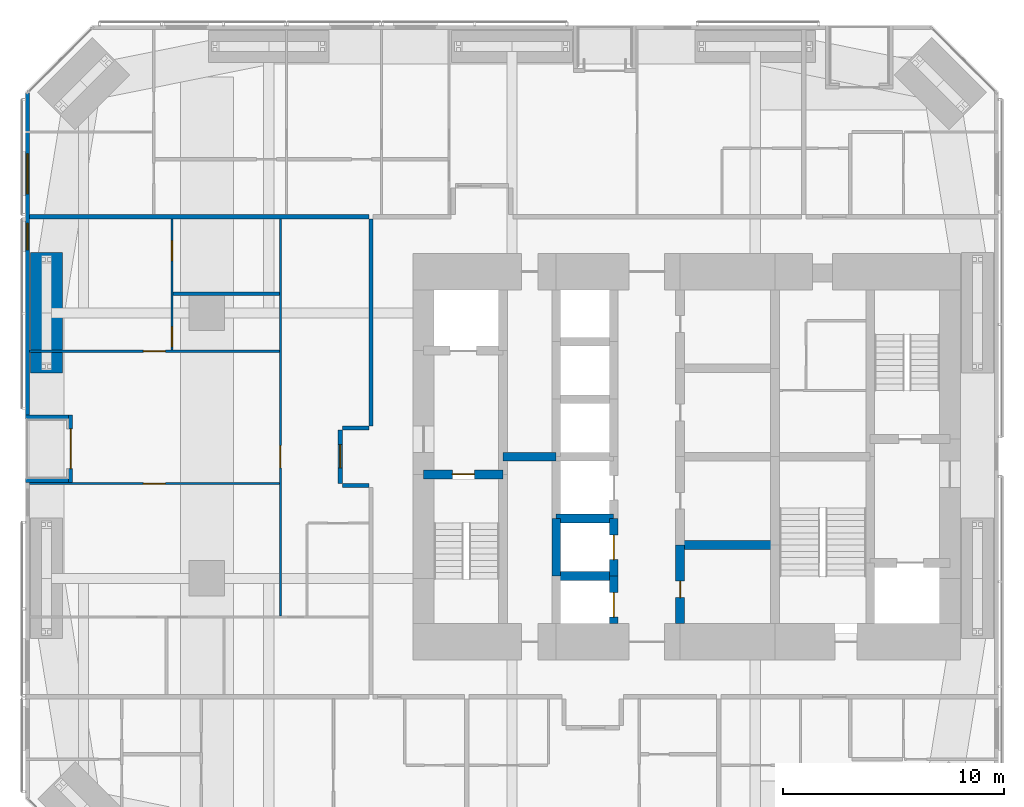
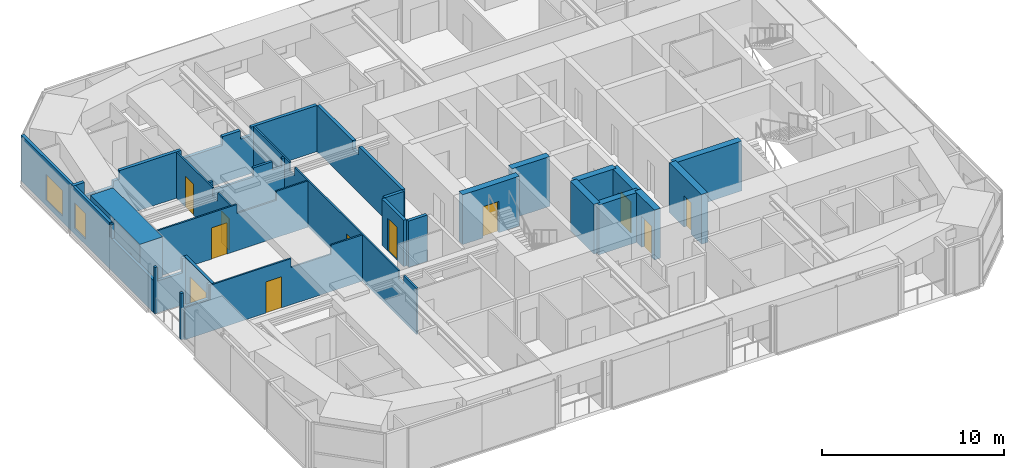
# One storey, part 18 of 23: 24 walls, 11 doors, 2 windows, 13 openings.
"""IFC4 building model written with IfcOpenShell, lengths in metres."""

from ifc_helpers import new_model, si_unit, direction, frame, frame_2d, origin, place, context, subcontext, project, spatial, polyline, rectangle, outline, extrude, material, layer, layer_set, constituent, constituent_set, type_object, element, fill, save


model = new_model("IFC4")

# Units and contexts
model_context = context("Model", 3, precision=1e-05, world=origin(), true_north=direction((0.0, 1.0)))
body_context = subcontext(model_context, "Body", "Model", "MODEL_VIEW")
ifc_project = project(units=[si_unit("LENGTHUNIT", "METRE"), si_unit("AREAUNIT", "SQUARE_METRE"), si_unit("VOLUMEUNIT", "CUBIC_METRE"), si_unit("PLANEANGLEUNIT", "RADIAN"), si_unit("MASSUNIT", "GRAM", prefix="KILO")], contexts=[model_context])

# Site, building, storey
site_placement = place(None, origin())
site = spatial("IfcSite", under=ifc_project, at=site_placement, CompositionType="ELEMENT")
building_placement = place(site_placement, origin())
building = spatial("IfcBuilding", under=site, at=building_placement, Name="Jalousie Tower", CompositionType="ELEMENT")
storey_placement = place(building_placement, frame((0.0, 0.0, 27.699951171875)))
storey = spatial("IfcBuildingStorey", under=building, at=storey_placement, Name="L06", CompositionType="ELEMENT", Elevation=27.699951171875)

# Walls
ifc_material_1 = material(Name="Concrete block ASTM C90", Category="concrete")
ifc_constituent_1 = constituent(ifc_material_1, Name="Body")
ifc_material_2 = material(Name="Render")
ifc_constituent_2 = constituent(ifc_material_2, Name="Finish")
ifc_constituent_set_1 = constituent_set(constituents=[ifc_constituent_1, ifc_constituent_2])
wall_type_1 = type_object("IfcWallType", Name="BATHROOM WALL 150", PredefinedType="PLUMBINGWALL", material=ifc_constituent_set_1)
wall_1_placement = place(storey_placement, frame((8.675048828125, 25.875, 0.0), z_axis=(0.0, 0.0, 1.0), x_axis=(1.0, 0.0, 0.0)))
element("IfcWall", 1, at=wall_1_placement, inside=storey, type_object=wall_type_1, Name="Bathroom Wall 150 L06", PredefinedType="PLUMBINGWALL", context=body_context, shape_type="SweptSolid", body=[
    extrude(outline(polyline([(0.0, 0.0), (4.800048828125, 0.0), (4.800048828125, 3.110107421875), (4.63720703125, 3.110107421875), (4.63720703125, 2.541015625), (4.0126953125, 2.541015625), (4.0126953125, 3.110107421875), (2.81005859375, 3.110107421875), (2.81005859375, 2.510009765625), (0.239990234375, 2.510009765625), (0.239990234375, 3.110107421875), (0.0, 3.110107421875), (0.0, 0.0)])), frame((0.0, 0.074951171875, 0.0), z_axis=(0.0, -1.0, 0.0), x_axis=(1.0, 0.0, 0.0)), (0.0, 0.0, 1.0), 0.14990234375),
])
ifc_material_3 = material(Name="Concrete f'c 120 MPa", Category="concrete")
ifc_layer_1 = layer(ifc_material_3, 0.39990234375)
ifc_layer_set_1 = layer_set([ifc_layer_1], Name="Concrete f'c 120 MPa")
wall_type_2 = type_object("IfcWallType", Name="CORE WALL 400", PredefinedType="SHEAR", material=ifc_layer_set_1)
wall_2_placement = place(storey_placement, frame((26.0, 13.10009765625, 0.0), z_axis=(0.0, 0.0, 1.0), x_axis=(0.0, 1.0, 0.0)))
element("IfcWall", 2, at=wall_2_placement, inside=storey, type_object=wall_type_2, Name="Core wall X26B L06", PredefinedType="SHEAR", context=body_context, shape_type="SweptSolid", body=[
    extrude(rectangle(XDim=2.599853515625, YDim=0.39990234375, at=frame_2d((1.2998046875, 0.0))), origin(), (0.0, 0.0, 1.0), 3.35009765625),
])

# Wall, opening, door
wall_3_placement = place(storey_placement, frame((28.60009765625, 10.949951171875, 0.0), z_axis=(0.0, 0.0, 1.0), x_axis=(0.0, 1.0, 0.0)))
wall_3 = element("IfcWall", 3, at=wall_3_placement, inside=storey, type_object=wall_type_2, Name="Core wall X28.6A L06", PredefinedType="SHEAR", context=body_context, shape_type="SweptSolid", body=[
    extrude(rectangle(XDim=2.150146484375, YDim=0.39990234375, at=frame_2d((1.0751953125, 0.0))), origin(), (0.0, 0.0, 1.0), 3.35009765625),
])
opening_1_placement = place(wall_3_placement, frame((0.300048828125, 0.0, 0.0)))
opening_1 = element("IfcOpeningElement", 4, at=opening_1_placement, cuts=wall_3, Name="Opening LD1", PredefinedType="OPENING", context=body_context, shape_type="SweptSolid", body=[
    extrude(rectangle(XDim=1.10009765625, YDim=2.10009765625, at=frame_2d((0.550048828125, 1.050048828125))), frame((0.0, 0.2099609375, 0.0), z_axis=(0.0, -1.0, 0.0), x_axis=(1.0, 0.0, 0.0)), (0.0, 0.0, 1.0), 0.419921875),
])
ifc_material_4 = material(Name="Steel lift landing door", Category="steel")
door_type_1 = type_object("IfcDoorType", Name="LIFT LANDING DOOR 1100", OperationType="SLIDING_TO_LEFT", PredefinedType="DOOR", material=ifc_material_4)
door_1_placement = place(opening_1_placement, origin())
door_1 = element("IfcDoor", 5, at=door_1_placement, inside=storey, type_object=door_type_1, Name="Lift P1 landing door", OperationType="SLIDING_TO_LEFT", OverallHeight=2.10009765625, OverallWidth=1.10009765625, PredefinedType="DOOR", context=body_context, shape_type="SweptSolid", body=[
    extrude(rectangle(XDim=1.10009765625, YDim=2.10009765625, at=frame_2d((0.550048828125, 1.050048828125))), frame((0.0, 0.02490234375, 0.0), z_axis=(0.0, -1.0, 0.0), x_axis=(1.0, 0.0, 0.0)), (0.0, 0.0, 1.0), 0.050048828125),
])
fill(opening_1, door_1)

wall_4_placement = place(storey_placement, frame((28.60009765625, 13.10009765625, 0.0), z_axis=(0.0, 0.0, 1.0), x_axis=(0.0, 1.0, 0.0)))
wall_4 = element("IfcWall", 6, at=wall_4_placement, inside=storey, type_object=wall_type_2, Name="Core wall X28.6B L06", PredefinedType="SHEAR", context=body_context, shape_type="SweptSolid", body=[
    extrude(rectangle(XDim=2.599853515625, YDim=0.39990234375, at=frame_2d((1.2998046875, 0.0))), origin(), (0.0, 0.0, 1.0), 3.35009765625),
])
opening_2_placement = place(wall_4_placement, frame((0.75, 0.0, 0.0)))
opening_2 = element("IfcOpeningElement", 7, at=opening_2_placement, cuts=wall_4, Name="Opening LD1", PredefinedType="OPENING", context=body_context, shape_type="SweptSolid", body=[
    extrude(rectangle(XDim=1.10009765625, YDim=2.10009765625, at=frame_2d((0.550048828125, 1.050048828125))), frame((0.0, 0.2099609375, 0.0), z_axis=(0.0, -1.0, 0.0), x_axis=(1.0, 0.0, 0.0)), (0.0, 0.0, 1.0), 0.419921875),
])
door_2_placement = place(opening_2_placement, origin())
door_2 = element("IfcDoor", 8, at=door_2_placement, inside=storey, type_object=door_type_1, Name="Lift P2 landing door", OperationType="SLIDING_TO_LEFT", OverallHeight=2.10009765625, OverallWidth=1.10009765625, PredefinedType="DOOR", context=body_context, shape_type="SweptSolid", body=[
    extrude(rectangle(XDim=1.10009765625, YDim=2.10009765625, at=frame_2d((0.550048828125, 1.050048828125))), frame((0.0, 0.02490234375, 0.0), z_axis=(0.0, -1.0, 0.0), x_axis=(1.0, 0.0, 0.0)), (0.0, 0.0, 1.0), 0.050048828125),
])
fill(opening_2, door_2)

wall_5_placement = place(storey_placement, frame((31.60009765625, 10.949951171875, 0.0), z_axis=(0.0, 0.0, 1.0), x_axis=(0.0, 1.0, 0.0)))
wall_5 = element("IfcWall", 9, at=wall_5_placement, inside=storey, type_object=wall_type_2, Name="Core wall X31.6A L06", PredefinedType="SHEAR", context=body_context, shape_type="SweptSolid", body=[
    extrude(rectangle(XDim=3.550048828125, YDim=0.39990234375, at=frame_2d((1.77490234375, 0.0))), origin(), (0.0, 0.0, 1.0), 3.35009765625),
])
opening_3_placement = place(wall_5_placement, frame((1.175048828125, 0.0, 0.0)))
opening_3 = element("IfcOpeningElement", 10, at=opening_3_placement, cuts=wall_5, Name="Opening D16", PredefinedType="OPENING", context=body_context, shape_type="SweptSolid", body=[
    extrude(rectangle(XDim=0.75, YDim=2.10009765625, at=frame_2d((0.375, 1.050048828125))), frame((0.0, 0.2099609375, 0.0), z_axis=(0.0, -1.0, 0.0), x_axis=(1.0, 0.0, 0.0)), (0.0, 0.0, 1.0), 0.419921875),
])
ifc_material_5 = material(Name="Steel fire door", Category="steel")
door_type_2 = type_object("IfcDoorType", Name="RISER DOOR 750", OperationType="SINGLE_SWING_LEFT", PredefinedType="DOOR", material=ifc_material_5)
door_3_placement = place(opening_3_placement, frame((0.75, 0.0, 0.0), z_axis=(0.0, 0.0, 1.0), x_axis=(-1.0, 0.0, 0.0)))
door_3 = element("IfcDoor", 11, at=door_3_placement, inside=storey, type_object=door_type_2, Name="Refuse Room door", OperationType="SINGLE_SWING_RIGHT", OverallHeight=2.10009765625, OverallWidth=0.75, PredefinedType="DOOR", context=body_context, shape_type="SweptSolid", body=[
    extrude(rectangle(XDim=0.75, YDim=2.10009765625, at=frame_2d((0.375, 1.050048828125))), frame((0.0, 0.02490234375, 0.0), z_axis=(0.0, -1.0, 0.0), x_axis=(1.0, 0.0, 0.0)), (0.0, 0.0, 1.0), 0.050048828125),
])
fill(opening_3, door_3)

wall_6_placement = place(storey_placement, frame((20.0, 17.699951171875, 0.0), z_axis=(0.0, 0.0, 1.0), x_axis=(1.0, 0.0, 0.0)))
wall_6 = element("IfcWall", 12, at=wall_6_placement, inside=storey, type_object=wall_type_2, Name="Core wall Y20-17.7 L06", PredefinedType="SHEAR", context=body_context, shape_type="SweptSolid", body=[
    extrude(rectangle(XDim=3.60009765625, YDim=0.39990234375, at=frame_2d((1.800048828125, 0.0))), origin(), (0.0, 0.0, 1.0), 3.35009765625),
])
opening_4_placement = place(wall_6_placement, frame((1.300048828125, 0.0, 0.0)))
opening_4 = element("IfcOpeningElement", 13, at=opening_4_placement, cuts=wall_6, Name="Opening D10", PredefinedType="OPENING", context=body_context, shape_type="SweptSolid", body=[
    extrude(rectangle(XDim=1.0, YDim=2.10009765625, at=frame_2d((0.5, 1.050048828125))), frame((0.0, 0.2099609375, 0.0), z_axis=(0.0, -1.0, 0.0), x_axis=(1.0, 0.0, 0.0)), (0.0, 0.0, 1.0), 0.419921875),
])
ifc_material_6 = material(Name="Steel fire door", Category="steel")
door_type_3 = type_object("IfcDoorType", Name="STAIR DOOR 1000", OperationType="SINGLE_SWING_LEFT", PredefinedType="DOOR", material=ifc_material_6)
door_4_placement = place(opening_4_placement, frame((1.0, 0.0, 0.0), z_axis=(0.0, 0.0, 1.0), x_axis=(-1.0, 0.0, 0.0)))
door_4 = element("IfcDoor", 14, at=door_4_placement, inside=storey, type_object=door_type_3, Name="Exit stair A door", OperationType="SINGLE_SWING_RIGHT", OverallHeight=2.10009765625, OverallWidth=1.0, PredefinedType="DOOR", context=body_context, shape_type="SweptSolid", body=[
    extrude(rectangle(XDim=1.0, YDim=2.10009765625, at=frame_2d((0.5, 1.050048828125))), frame((0.0, 0.02490234375, 0.0), z_axis=(0.0, -1.0, 0.0), x_axis=(1.0, 0.0, 0.0)), (0.0, 0.0, 1.0), 0.050048828125),
])
fill(opening_4, door_4)

# Walls
wall_7_placement = place(storey_placement, frame((23.60009765625, 18.5, 0.0), z_axis=(0.0, 0.0, 1.0), x_axis=(1.0, 0.0, 0.0)))
element("IfcWall", 15, at=wall_7_placement, inside=storey, type_object=wall_type_2, Name="Core wall Y23.6-18.5 L06", PredefinedType="SHEAR", context=body_context, shape_type="SweptSolid", body=[
    extrude(rectangle(XDim=2.39990234375, YDim=0.39990234375, at=frame_2d((1.199951171875, 0.0))), origin(), (0.0, 0.0, 1.0), 3.35009765625),
])
for number, where, z_axis, x_axis, name in (
    (16, (26.0, 13.10009765625, 0.0), (0.0, 0.0, 1.0), (1.0, 0.0, 0.0), "Core wall Y26-13.1 L06"),
    (17, (26.0, 15.699951171875, 0.0), (0.0, 0.0, 1.0), (1.0, 0.0, 0.0), "Core wall Y26-15.7 L06"),
):
    element("IfcWall", number, at=place(storey_placement, frame(where, z_axis=z_axis, x_axis=x_axis)), inside=storey, type_object=wall_type_2, Name=name, PredefinedType="SHEAR", context=body_context, shape_type="SweptSolid", body=[
        extrude(rectangle(XDim=2.60009765625, YDim=0.39990234375, at=frame_2d((1.300048828125, 0.0))), origin(), (0.0, 0.0, 1.0), 3.35009765625),
    ])
wall_8_placement = place(storey_placement, frame((31.60009765625, 14.5, 0.0), z_axis=(0.0, 0.0, 1.0), x_axis=(1.0, 0.0, 0.0)))
element("IfcWall", 18, at=wall_8_placement, inside=storey, type_object=wall_type_2, Name="Core wall Y31.6-14.5 L06", PredefinedType="SHEAR", context=body_context, shape_type="SweptSolid", body=[
    extrude(rectangle(XDim=4.2998046875, YDim=0.39990234375, at=frame_2d((2.14990234375, 0.0))), origin(), (0.0, 0.0, 1.0), 3.35009765625),
])
ifc_material_7 = material(Name="Concrete block ASTM C90", Category="concrete")
ifc_constituent_3 = constituent(ifc_material_7, Name="Body")
ifc_material_8 = material(Name="Render")
ifc_constituent_4 = constituent(ifc_material_8, Name="Finish")
ifc_constituent_set_2 = constituent_set(constituents=[ifc_constituent_3, ifc_constituent_4])
wall_type_3 = type_object("IfcWallType", Name="CORRIDOR WALL 200", PredefinedType="PARTITIONING", material=ifc_constituent_set_2)
wall_9_placement = place(storey_placement, frame((17.625, 19.89990234375, 0.0), z_axis=(0.0, 0.0, 1.0), x_axis=(0.0, 1.0, 0.0)))
element("IfcWall", 19, at=wall_9_placement, inside=storey, type_object=wall_type_3, Name="Corridor Wall 200 L06", PredefinedType="PARTITIONING", context=body_context, shape_type="SweptSolid", body=[
    extrude(outline(polyline([(0.0, 0.0), (9.35009765625, 0.0), (9.35009765625, 3.110107421875), (5.437255859375, 3.110107421875), (5.437255859375, 2.541015625), (4.7626953125, 2.541015625), (4.7626953125, 3.110107421875), (0.0, 3.110107421875), (0.0, 0.0)])), frame((0.0, 0.10009765625, 0.0), z_axis=(0.0, -1.0, 0.0), x_axis=(1.0, 0.0, 0.0)), (0.0, 0.0, 1.0), 0.199951171875),
])

# Wall, opening, door
wall_10_placement = place(storey_placement, frame((16.22509765625, 17.300048828125, 0.0), z_axis=(0.0, 0.0, 1.0), x_axis=(0.0, 1.0, 0.0)))
wall_10 = element("IfcWall", 20, at=wall_10_placement, inside=storey, type_object=wall_type_3, Name="Corridor Wall 200 L06", PredefinedType="PARTITIONING", context=body_context, shape_type="SweptSolid", body=[
    extrude(rectangle(XDim=2.39990234375, YDim=0.199951171875, at=frame_2d((1.199951171875, 0.0))), origin(), (0.0, 0.0, 1.0), 3.110107421875),
])
opening_5_placement = place(wall_10_placement, frame((0.699951171875, 0.0, 0.0)))
opening_5 = element("IfcOpeningElement", 21, at=opening_5_placement, cuts=wall_10, Name="Opening D1", PredefinedType="OPENING", context=body_context, shape_type="SweptSolid", body=[
    extrude(rectangle(XDim=1.050048828125, YDim=2.199951171875, at=frame_2d((0.52490234375, 1.10009765625))), frame((0.0, 0.10986328125, 0.0), z_axis=(0.0, -1.0, 0.0), x_axis=(1.0, 0.0, 0.0)), (0.0, 0.0, 1.0), 0.219970703125),
])
ifc_material_9 = material(Name="Timber fire door", Category="wood")
door_type_4 = type_object("IfcDoorType", Name="APARTMENT ENTRANCE DOOR 1050", OperationType="SINGLE_SWING_LEFT", PredefinedType="DOOR", material=ifc_material_9)
door_5_placement = place(opening_5_placement, origin())
door_5 = element("IfcDoor", 22, at=door_5_placement, inside=storey, type_object=door_type_4, Name="Apartment 0606 entrance", OperationType="SINGLE_SWING_LEFT", OverallHeight=2.199951171875, OverallWidth=1.050048828125, PredefinedType="DOOR", context=body_context, shape_type="SweptSolid", body=[
    extrude(rectangle(XDim=1.050048828125, YDim=2.199951171875, at=frame_2d((0.52490234375, 1.10009765625))), frame((0.0, 0.02490234375, 0.0), z_axis=(0.0, -1.0, 0.0), x_axis=(1.0, 0.0, 0.0)), (0.0, 0.0, 1.0), 0.050048828125),
])
fill(opening_5, door_5)

# Walls
for number, where, z_axis, x_axis, name in (
    (23, (17.52490234375, 17.199951171875, 0.0), (0.0, 0.0, 1.0), (-1.0, 0.0, 0.0), "Corridor Wall 200 L06"),
    (24, (17.52490234375, 19.800048828125, 0.0), (0.0, 0.0, 1.0), (-1.0, 0.0, 0.0), "Corridor Wall 200 L06"),
):
    element("IfcWall", number, at=place(storey_placement, frame(where, z_axis=z_axis, x_axis=x_axis)), inside=storey, type_object=wall_type_3, Name=name, PredefinedType="PARTITIONING", context=body_context, shape_type="SweptSolid", body=[
        extrude(rectangle(XDim=1.199951171875, YDim=0.199951171875, at=frame_2d((0.60009765625, 0.0))), origin(), (0.0, 0.0, 1.0), 3.110107421875),
    ])

# Wall, openings, windows
ifc_material_10 = material(Name="Concrete f'c 40 MPa", Category="concrete")
ifc_constituent_5 = constituent(ifc_material_10, Name="Body")
ifc_material_11 = material(Name="Render, pastel coral")
ifc_constituent_6 = constituent(ifc_material_11, Name="Finish")
ifc_constituent_set_3 = constituent_set(constituents=[ifc_constituent_5, ifc_constituent_6])
wall_type_4 = type_object("IfcWallType", Name="EXTERNAL WALL 175 CORAL RENDER", PredefinedType="SOLIDWALL", material=ifc_constituent_set_3)
wall_11_placement = place(storey_placement, frame((2.08740234375, 34.94873046875, 0.0), z_axis=(0.0, 0.0, 1.0), x_axis=(0.0, -1.0, 0.0)))
wall_11 = element("IfcWall", 25, at=wall_11_placement, inside=storey, type_object=wall_type_4, Name="External Wall 175 Coral Render L06", PredefinedType="SOLIDWALL", context=body_context, shape_type="SweptSolid", body=[
    extrude(outline(polyline([(0.0, 0.0), (14.55712890625, 0.0), (14.556884765625, 2.150146484375), (9.94873046875, 2.150146484375), (9.94873046875, 3.110107421875), (9.822998046875, 3.110107421875), (9.822998046875, 2.150146484375), (9.72998046875, 2.150146484375), (9.72998046875, 3.110107421875), (0.0, 3.110107421875), (0.0, 0.0)])), frame((0.0, 0.08740234375, 0.0), z_axis=(0.0, -1.0, 0.0), x_axis=(1.0, 0.0, 0.0)), (0.0, 0.0, 1.0), 0.175048828125),
])
opening_6_placement = place(wall_11_placement, frame((2.75732421875, 0.0, 0.39990234375)))
opening_6 = element("IfcOpeningElement", 26, at=opening_6_placement, cuts=wall_11, Name="Opening W-BED170", PredefinedType="OPENING", context=body_context, shape_type="SweptSolid", body=[
    extrude(rectangle(XDim=1.800048828125, YDim=1.699951171875, at=frame_2d((0.89990234375, 0.85009765625))), frame((0.0, 0.097412109375, 0.0), z_axis=(0.0, -1.0, 0.0), x_axis=(1.0, 0.0, 0.0)), (0.0, 0.0, 1.0), 0.195068359375),
])
opening_7_placement = place(wall_11_placement, frame((5.898681640625, 0.0, 0.39990234375)))
opening_7 = element("IfcOpeningElement", 27, at=opening_7_placement, cuts=wall_11, Name="Opening W-COR170", PredefinedType="OPENING", context=body_context, shape_type="SweptSolid", body=[
    extrude(rectangle(XDim=1.199951171875, YDim=1.699951171875, at=frame_2d((0.60009765625, 0.85009765625))), frame((0.0, 0.097412109375, 0.0), z_axis=(0.0, -1.0, 0.0), x_axis=(1.0, 0.0, 0.0)), (0.0, 0.0, 1.0), 0.195068359375),
])
ifc_material_12 = material(Name="Aluminium frame, impact-rated glazing", Category="aluminium")
window_type_1 = type_object("IfcWindowType", Name="WINDOW BED 1800x1700", PartitioningType="SINGLE_PANEL", PredefinedType="WINDOW", material=ifc_material_12)
window_1_placement = place(opening_6_placement, origin())
window_1 = element("IfcWindow", 28, at=window_1_placement, inside=storey, type_object=window_type_1, Name="Apartment 0604 bedroom 1 window", OverallHeight=1.699951171875, OverallWidth=1.800048828125, PartitioningType="SINGLE_PANEL", PredefinedType="WINDOW", context=body_context, shape_type="SweptSolid", body=[
    extrude(rectangle(XDim=1.800048828125, YDim=1.699951171875, at=frame_2d((0.89990234375, 0.85009765625))), frame((0.0, 0.030029296875, 0.0), z_axis=(0.0, -1.0, 0.0), x_axis=(1.0, 0.0, 0.0)), (0.0, 0.0, 1.0), 0.06005859375),
])
fill(opening_6, window_1)
ifc_material_13 = material(Name="Aluminium frame, impact-rated glazing", Category="aluminium")
window_type_2 = type_object("IfcWindowType", Name="WINDOW COR 1200x1700", PartitioningType="SINGLE_PANEL", PredefinedType="WINDOW", material=ifc_material_13)
window_2_placement = place(opening_7_placement, origin())
window_2 = element("IfcWindow", 29, at=window_2_placement, inside=storey, type_object=window_type_2, Name="Apartment 0606 bedroom 2 window", OverallHeight=1.699951171875, OverallWidth=1.199951171875, PartitioningType="SINGLE_PANEL", PredefinedType="WINDOW", context=body_context, shape_type="SweptSolid", body=[
    extrude(rectangle(XDim=1.199951171875, YDim=1.699951171875, at=frame_2d((0.60009765625, 0.85009765625))), frame((0.0, 0.030029296875, 0.0), z_axis=(0.0, -1.0, 0.0), x_axis=(1.0, 0.0, 0.0)), (0.0, 0.0, 1.0), 0.06005859375),
])
fill(opening_7, window_2)

# Wall, opening, door
wall_12_placement = place(storey_placement, frame((4.03759765625, 20.3916015625, 0.0), z_axis=(0.0, 0.0, 1.0), x_axis=(0.0, -1.0, 0.0)))
wall_12 = element("IfcWall", 30, at=wall_12_placement, inside=storey, type_object=wall_type_4, Name="External Wall 175 Coral Render L06", PredefinedType="SOLIDWALL", context=body_context, shape_type="SweptSolid", body=[
    extrude(rectangle(XDim=3.058349609375, YDim=0.175048828125, at=frame_2d((1.529296875, 0.0))), origin(), (0.0, 0.0, 1.0), 3.110107421875),
])
opening_8_placement = place(wall_12_placement, frame((0.629150390625, 0.0, 0.0)))
opening_8 = element("IfcOpeningElement", 31, at=opening_8_placement, cuts=wall_12, Name="Opening D-BAL21", PredefinedType="OPENING", context=body_context, shape_type="SweptSolid", body=[
    extrude(rectangle(XDim=1.800048828125, YDim=2.10009765625, at=frame_2d((0.89990234375, 1.050048828125))), frame((0.0, 0.097412109375, 0.0), z_axis=(0.0, -1.0, 0.0), x_axis=(1.0, 0.0, 0.0)), (0.0, 0.0, 1.0), 0.195068359375),
])
ifc_material_14 = material(Name="Aluminium frame, impact-rated glazing", Category="aluminium")
door_type_5 = type_object("IfcDoorType", Name="BALCONY DOOR 1800x2100", OperationType="SLIDING_TO_LEFT", PredefinedType="DOOR", material=ifc_material_14)
door_6_placement = place(opening_8_placement, origin())
door_6 = element("IfcDoor", 32, at=door_6_placement, inside=storey, type_object=door_type_5, Name="Apartment 0606 living room loggia door", OperationType="SLIDING_TO_LEFT", OverallHeight=2.10009765625, OverallWidth=1.800048828125, PredefinedType="DOOR", context=body_context, shape_type="SweptSolid", body=[
    extrude(rectangle(XDim=1.800048828125, YDim=2.10009765625, at=frame_2d((0.89990234375, 1.050048828125))), frame((0.0, 0.02490234375, 0.0), z_axis=(0.0, -1.0, 0.0), x_axis=(1.0, 0.0, 0.0)), (0.0, 0.0, 1.0), 0.050048828125),
])
fill(opening_8, door_6)

# Walls
for number, where, z_axis, x_axis, name in (
    (33, (2.0, 20.30419921875, 0.0), (0.0, 0.0, 1.0), (1.0, 0.0, 0.0), "External Wall 175 Coral Render L06"),
    (34, (2.0, 17.4208984375, 0.0), (0.0, 0.0, 1.0), (1.0, 0.0, 0.0), "External Wall 175 Coral Render L06"),
):
    element("IfcWall", number, at=place(storey_placement, frame(where, z_axis=z_axis, x_axis=x_axis)), inside=storey, type_object=wall_type_4, Name=name, PredefinedType="SOLIDWALL", context=body_context, shape_type="SweptSolid", body=[
        extrude(outline(polyline([(0.0, 0.0), (1.949951171875, 0.0), (1.949951171875, 3.110107421875), (1.75, 3.110107421875), (1.75, 2.150146484375), (0.14990234375, 2.150146484375), (0.14990234375, 3.110107421875), (0.0, 3.110107421875), (0.0, 0.0)])), frame((0.0, 0.08740234375, 0.0), z_axis=(0.0, -1.0, 0.0), x_axis=(1.0, 0.0, 0.0)), (0.0, 0.0, 1.0), 0.175048828125),
    ])

# Wall, opening, door
ifc_material_15 = material(Name="Gypsum board", Category="gypsum")
ifc_constituent_7 = constituent(ifc_material_15, Name="Body")
ifc_material_16 = material(Name="Light-gauge steel studs ASTM A653 SS Grade 33", Category="steel")
ifc_constituent_8 = constituent(ifc_material_16, Name="Framing")
ifc_constituent_set_4 = constituent_set(constituents=[ifc_constituent_7, ifc_constituent_8])
wall_type_5 = type_object("IfcWallType", Name="PARTITION 100", PredefinedType="PARTITIONING", material=ifc_constituent_set_4)
wall_13_placement = place(storey_placement, frame((13.52490234375, 11.300048828125, 0.0), z_axis=(0.0, 0.0, 1.0), x_axis=(0.0, 1.0, 0.0)))
wall_13 = element("IfcWall", 35, at=wall_13_placement, inside=storey, type_object=wall_type_5, Name="Partition 100 L06", PredefinedType="PARTITIONING", context=body_context, shape_type="SweptSolid", body=[
    extrude(outline(polyline([(0.0, 0.0), (17.949951171875, 0.0), (17.949951171875, 3.110107421875), (13.9873046875, 3.110107421875), (13.9873046875, 2.541015625), (13.41259765625, 2.541015625), (13.41259765625, 3.110107421875), (1.9873046875, 3.110107421875), (1.9873046875, 2.541015625), (1.41259765625, 2.541015625), (1.41259765625, 3.110107421875), (0.0, 3.110107421875), (0.0, 0.0)])), frame((0.0, 0.050048828125, 0.0), z_axis=(0.0, -1.0, 0.0), x_axis=(1.0, 0.0, 0.0)), (0.0, 0.0, 1.0), 0.10009765625),
])
opening_9_placement = place(wall_13_placement, frame((6.699951171875, 0.0, 0.0)))
opening_9 = element("IfcOpeningElement", 36, at=opening_9_placement, cuts=wall_13, Name="Opening D6", PredefinedType="OPENING", context=body_context, shape_type="SweptSolid", body=[
    extrude(rectangle(XDim=1.0, YDim=2.10009765625, at=frame_2d((0.5, 1.050048828125))), frame((0.0, 0.06005859375, 0.0), z_axis=(0.0, -1.0, 0.0), x_axis=(1.0, 0.0, 0.0)), (0.0, 0.0, 1.0), 0.1201171875),
])
ifc_material_17 = material(Name="Timber door", Category="wood")
door_type_6 = type_object("IfcDoorType", Name="INTERNAL DOOR 1000", OperationType="SINGLE_SWING_LEFT", PredefinedType="DOOR", material=ifc_material_17)
door_7_placement = place(opening_9_placement, origin())
door_7 = element("IfcDoor", 37, at=door_7_placement, inside=storey, type_object=door_type_6, Name="Apartment 0606 living room door", OperationType="SINGLE_SWING_LEFT", OverallHeight=2.10009765625, OverallWidth=1.0, PredefinedType="DOOR", context=body_context, shape_type="SweptSolid", body=[
    extrude(rectangle(XDim=1.0, YDim=2.10009765625, at=frame_2d((0.5, 1.050048828125))), frame((0.0, 0.02490234375, 0.0), z_axis=(0.0, -1.0, 0.0), x_axis=(1.0, 0.0, 0.0)), (0.0, 0.0, 1.0), 0.050048828125),
])
fill(opening_9, door_7)

wall_14_placement = place(storey_placement, frame((2.175048828125, 17.283203125, 0.0), z_axis=(0.0, 0.0, 1.0), x_axis=(1.0, 0.0, 0.0)))
wall_14 = element("IfcWall", 38, at=wall_14_placement, inside=storey, type_object=wall_type_5, Name="Partition 100 L06", PredefinedType="PARTITIONING", context=body_context, shape_type="SweptSolid", body=[
    extrude(outline(polyline([(0.0, 0.0), (11.300048828125, 0.0), (11.300048828125, 3.110107421875), (9.284912109375, 3.110107421875), (9.284912109375, 2.510009765625), (6.764892578125, 2.510009765625), (6.764892578125, 3.110107421875), (1.635009765625, 3.110107421875), (1.635009765625, 2.150146484375), (0.0, 2.150146484375), (0.0, 3.110107421875), (0.0, 0.0)])), frame((0.0, 0.050048828125, 0.0), z_axis=(0.0, -1.0, 0.0), x_axis=(1.0, 0.0, 0.0)), (0.0, 0.0, 1.0), 0.10009765625),
])
opening_10_placement = place(wall_14_placement, frame((5.14990234375, 0.0, 0.0)))
opening_10 = element("IfcOpeningElement", 39, at=opening_10_placement, cuts=wall_14, Name="Opening D6", PredefinedType="OPENING", context=body_context, shape_type="SweptSolid", body=[
    extrude(rectangle(XDim=1.0, YDim=2.10009765625, at=frame_2d((0.5, 1.050048828125))), frame((0.0, 0.06005859375, 0.0), z_axis=(0.0, -1.0, 0.0), x_axis=(1.0, 0.0, 0.0)), (0.0, 0.0, 1.0), 0.1201171875),
])
door_8_placement = place(opening_10_placement, frame((1.0, 0.0, 0.0), z_axis=(0.0, 0.0, 1.0), x_axis=(-1.0, 0.0, 0.0)))
door_8 = element("IfcDoor", 40, at=door_8_placement, inside=storey, type_object=door_type_6, Name="Apartment 0606 dining room door", OperationType="SINGLE_SWING_RIGHT", OverallHeight=2.10009765625, OverallWidth=1.0, PredefinedType="DOOR", context=body_context, shape_type="SweptSolid", body=[
    extrude(rectangle(XDim=1.0, YDim=2.10009765625, at=frame_2d((0.5, 1.050048828125))), frame((0.0, 0.02490234375, 0.0), z_axis=(0.0, -1.0, 0.0), x_axis=(1.0, 0.0, 0.0)), (0.0, 0.0, 1.0), 0.050048828125),
])
fill(opening_10, door_8)

wall_15_placement = place(storey_placement, frame((2.175048828125, 23.2666015625, 0.0), z_axis=(0.0, 0.0, 1.0), x_axis=(1.0, 0.0, 0.0)))
wall_15 = element("IfcWall", 41, at=wall_15_placement, inside=storey, type_object=wall_type_5, Name="Partition 100 L06", PredefinedType="PARTITIONING", context=body_context, shape_type="SweptSolid", body=[
    extrude(outline(polyline([(0.52880859375, 2.150146484375), (0.0, 2.150146484375), (0.0, 0.0), (0.52880859375, 0.0), (0.52880859375, 0.274169921875), (1.021240234375, 0.274169921875), (1.021240234375, 0.0), (11.300048828125, 0.0), (11.300048828125, 3.110107421875), (9.284912109375, 3.110107421875), (9.284912109375, 2.510009765625), (6.764892578125, 2.510009765625), (6.764892578125, 3.110107421875), (1.635009765625, 3.110107421875), (1.635009765625, 2.150146484375), (1.021240234375, 2.150146484375), (1.021240234375, 1.875732421875), (0.52880859375, 1.875732421875), (0.52880859375, 2.150146484375)])), frame((0.0, 0.050048828125, 0.0), z_axis=(0.0, -1.0, 0.0), x_axis=(1.0, 0.0, 0.0)), (0.0, 0.0, 1.0), 0.10009765625),
])
opening_11_placement = place(wall_15_placement, frame((5.14990234375, 0.0, 0.0)))
opening_11 = element("IfcOpeningElement", 42, at=opening_11_placement, cuts=wall_15, Name="Opening D6", PredefinedType="OPENING", context=body_context, shape_type="SweptSolid", body=[
    extrude(rectangle(XDim=1.0, YDim=2.10009765625, at=frame_2d((0.5, 1.050048828125))), frame((0.0, 0.06005859375, 0.0), z_axis=(0.0, -1.0, 0.0), x_axis=(1.0, 0.0, 0.0)), (0.0, 0.0, 1.0), 0.1201171875),
])
door_9_placement = place(opening_11_placement, origin())
door_9 = element("IfcDoor", 43, at=door_9_placement, inside=storey, type_object=door_type_6, Name="Apartment 0606 bedroom 2 door", OperationType="SINGLE_SWING_RIGHT", OverallHeight=2.10009765625, OverallWidth=1.0, PredefinedType="DOOR", context=body_context, shape_type="SweptSolid", body=[
    extrude(rectangle(XDim=1.0, YDim=2.10009765625, at=frame_2d((0.5, 1.050048828125))), frame((0.0, 0.02490234375, 0.0), z_axis=(0.0, -1.0, 0.0), x_axis=(1.0, 0.0, 0.0)), (0.0, 0.0, 1.0), 0.050048828125),
])
fill(opening_11, door_9)

# Wall, openings, doors
wall_16_placement = place(storey_placement, frame((8.625, 23.316650390625, 0.0), z_axis=(0.0, 0.0, 1.0), x_axis=(0.0, 1.0, 0.0)))
wall_16 = element("IfcWall", 44, at=wall_16_placement, inside=storey, type_object=wall_type_5, Name="Partition 100 L06", PredefinedType="PARTITIONING", context=body_context, shape_type="SweptSolid", body=[
    extrude(outline(polyline([(0.0, 0.0), (5.933349609375, 0.0), (5.933349609375, 3.110107421875), (1.970703125, 3.110107421875), (1.970703125, 2.541015625), (1.39599609375, 2.541015625), (1.39599609375, 3.110107421875), (0.0, 3.110107421875), (0.0, 0.0)])), frame((0.0, 0.050048828125, 0.0), z_axis=(0.0, -1.0, 0.0), x_axis=(1.0, 0.0, 0.0)), (0.0, 0.0, 1.0), 0.10009765625),
])
opening_12_placement = place(wall_16_placement, frame((0.14990234375, 0.0, 0.0)))
opening_12 = element("IfcOpeningElement", 45, at=opening_12_placement, cuts=wall_16, Name="Opening D7", PredefinedType="OPENING", context=body_context, shape_type="SweptSolid", body=[
    extrude(rectangle(XDim=0.89990234375, YDim=2.10009765625, at=frame_2d((0.449951171875, 1.050048828125))), frame((0.0, 0.06005859375, 0.0), z_axis=(0.0, -1.0, 0.0), x_axis=(1.0, 0.0, 0.0)), (0.0, 0.0, 1.0), 0.1201171875),
])
opening_13_placement = place(wall_16_placement, frame((4.04150390625, 0.0, 0.0)))
opening_13 = element("IfcOpeningElement", 46, at=opening_13_placement, cuts=wall_16, Name="Opening D7", PredefinedType="OPENING", context=body_context, shape_type="SweptSolid", body=[
    extrude(rectangle(XDim=0.89990234375, YDim=2.10009765625, at=frame_2d((0.449951171875, 1.050048828125))), frame((0.0, 0.06005859375, 0.0), z_axis=(0.0, -1.0, 0.0), x_axis=(1.0, 0.0, 0.0)), (0.0, 0.0, 1.0), 0.1201171875),
])
ifc_material_18 = material(Name="Timber door", Category="wood")
door_type_7 = type_object("IfcDoorType", Name="INTERNAL DOOR 900", OperationType="SINGLE_SWING_LEFT", PredefinedType="DOOR", material=ifc_material_18)
door_10_placement = place(opening_12_placement, frame((0.89990234375, 0.0, 0.0), z_axis=(0.0, 0.0, 1.0), x_axis=(-1.0, 0.0, 0.0)))
door_10 = element("IfcDoor", 47, at=door_10_placement, inside=storey, type_object=door_type_7, Name="Apartment 0606 bedroom 2 bathroom door", OperationType="SINGLE_SWING_RIGHT", OverallHeight=2.10009765625, OverallWidth=0.89990234375, PredefinedType="DOOR", context=body_context, shape_type="SweptSolid", body=[
    extrude(rectangle(XDim=0.89990234375, YDim=2.10009765625, at=frame_2d((0.449951171875, 1.050048828125))), frame((0.0, 0.02490234375, 0.0), z_axis=(0.0, -1.0, 0.0), x_axis=(1.0, 0.0, 0.0)), (0.0, 0.0, 1.0), 0.050048828125),
])
fill(opening_12, door_10)
door_11_placement = place(opening_13_placement, origin())
door_11 = element("IfcDoor", 48, at=door_11_placement, inside=storey, type_object=door_type_7, Name="Apartment 0606 bedroom 2 dressing room door", OperationType="SINGLE_SWING_RIGHT", OverallHeight=2.10009765625, OverallWidth=0.89990234375, PredefinedType="DOOR", context=body_context, shape_type="SweptSolid", body=[
    extrude(rectangle(XDim=0.89990234375, YDim=2.10009765625, at=frame_2d((0.449951171875, 1.050048828125))), frame((0.0, 0.02490234375, 0.0), z_axis=(0.0, -1.0, 0.0), x_axis=(1.0, 0.0, 0.0)), (0.0, 0.0, 1.0), 0.050048828125),
])
fill(opening_13, door_11)

# Walls
ifc_material_19 = material(Name="Concrete block ASTM C90", Category="concrete")
ifc_constituent_9 = constituent(ifc_material_19, Name="Body")
ifc_material_20 = material(Name="Render")
ifc_constituent_10 = constituent(ifc_material_20, Name="Finish")
ifc_constituent_set_5 = constituent_set(constituents=[ifc_constituent_9, ifc_constituent_10])
wall_type_6 = type_object("IfcWallType", Name="PARTY WALL 200", PredefinedType="PARTITIONING", material=ifc_constituent_set_5)
wall_17_placement = place(storey_placement, frame((2.0, 29.35009765625, 0.0), z_axis=(0.0, 0.0, 1.0), x_axis=(1.0, 0.0, 0.0)))
element("IfcWall", 49, at=wall_17_placement, inside=storey, type_object=wall_type_6, Name="Party Wall 200 L06", PredefinedType="PARTITIONING", context=body_context, shape_type="SweptSolid", body=[
    extrude(outline(polyline([(0.0, 0.0), (15.52490234375, 0.0), (15.52490234375, 3.110107421875), (11.33740234375, 3.110107421875), (11.33740234375, 2.541015625), (10.66259765625, 2.541015625), (10.66259765625, 3.110107421875), (9.510009765625, 3.110107421875), (9.510009765625, 2.510009765625), (6.889892578125, 2.510009765625), (6.889892578125, 3.110107421875), (2.96875, 3.110107421875), (2.96875, 2.541015625), (2.577392578125, 2.541015625), (2.577392578125, 2.150146484375), (0.7333984375, 2.150146484375), (0.7333984375, 3.110107421875), (0.0, 3.110107421875), (0.0, 0.0)])), frame((0.0, 0.10009765625, 0.0), z_axis=(0.0, -1.0, 0.0), x_axis=(1.0, 0.0, 0.0)), (0.0, 0.0, 1.0), 0.199951171875),
])
ifc_material_21 = material(Name="Concrete f'c 120 MPa", Category="concrete")
ifc_layer_2 = layer(ifc_material_21, 1.449951171875)
ifc_layer_set_2 = layer_set([ifc_layer_2], Name="Concrete f'c 120 MPa")
wall_type_7 = type_object("IfcWallType", Name="RC WALL PIER 1450", PredefinedType="SHEAR", material=ifc_layer_set_2)
wall_18_placement = place(storey_placement, frame((2.949951171875, 22.27490234375, 0.0), z_axis=(0.0, 0.0, 1.0), x_axis=(0.0, 1.0, 0.0)))
element("IfcWall", 50, at=wall_18_placement, inside=storey, type_object=wall_type_7, Name="Wall pier 13 L06", PredefinedType="SHEAR", context=body_context, shape_type="SweptSolid", body=[
    extrude(rectangle(XDim=5.4501953125, YDim=1.449951171875, at=frame_2d((2.72509765625, 0.0))), origin(), (0.0, 0.0, 1.0), 3.35009765625),
])

save(model, "model.ifc")
